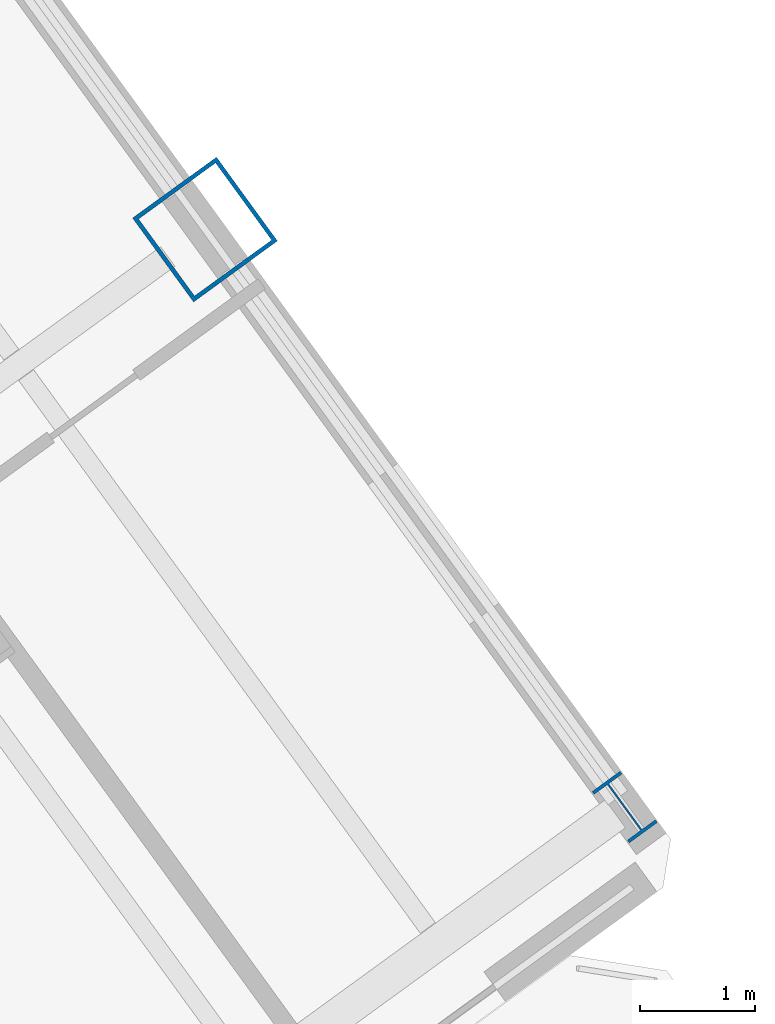
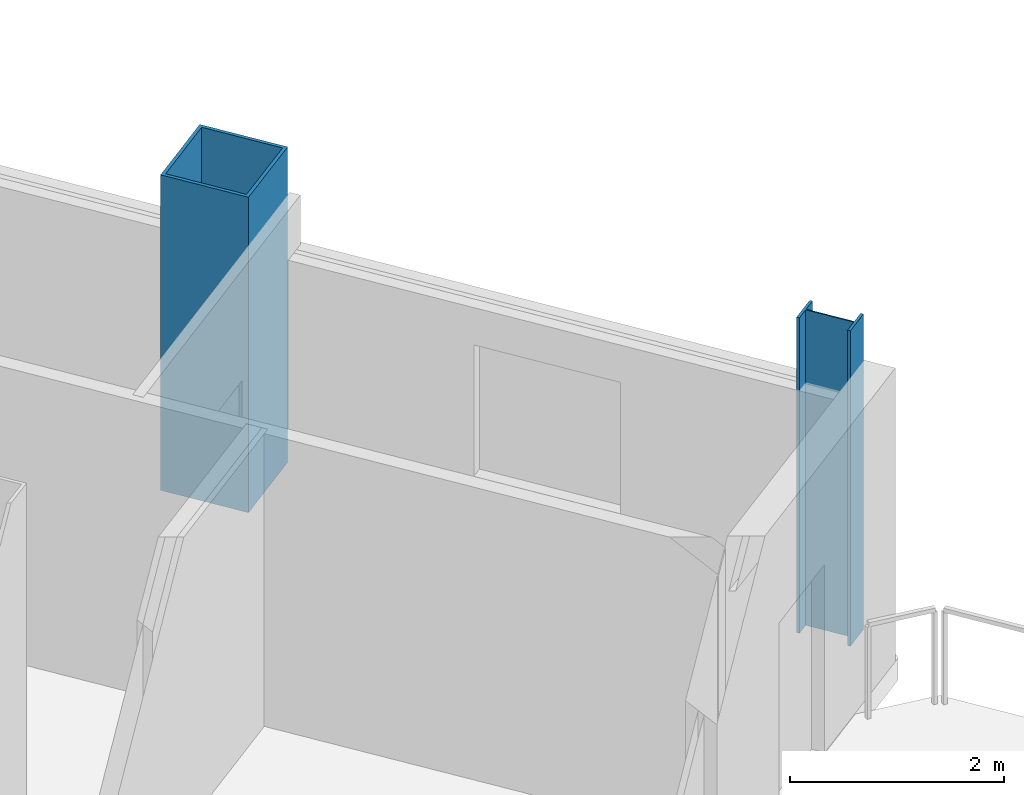
# One storey, part 4 of 29: 2 columns.
"""IFC4 building model written with IfcOpenShell, lengths in metres."""

from ifc_helpers import new_model, si_unit, direction, frame, origin, origin_2d, place, context, subcontext, project, spatial, hollow_rectangle, i_section, extrude, source, transform, mapped, material, material_profile, profile_set, type_object, element, save


model = new_model("IFC4")

# Units and contexts
model_context = context("Model", 3, precision=1e-05, world=origin(), true_north=direction((0.0, 1.0)))
body_context = subcontext(model_context, "Body", "Model", "MODEL_VIEW")
ifc_project = project(units=[si_unit("LENGTHUNIT", "METRE"), si_unit("AREAUNIT", "SQUARE_METRE"), si_unit("VOLUMEUNIT", "CUBIC_METRE"), si_unit("PLANEANGLEUNIT", "RADIAN"), si_unit("MASSUNIT", "GRAM", prefix="KILO")], contexts=[model_context])

# Site, building, storey
site_placement = place(None, origin())
site = spatial("IfcSite", under=ifc_project, at=site_placement, CompositionType="ELEMENT")
building_placement = place(site_placement, origin())
building = spatial("IfcBuilding", under=site, at=building_placement, Name="Tlacorven Tower", CompositionType="ELEMENT")
storey_placement = place(building_placement, frame((0.0, 0.0, 151.5)))
storey = spatial("IfcBuildingStorey", under=building, at=storey_placement, Name="L38", CompositionType="ELEMENT", Elevation=151.5)

# Columns
ifc_material = material(Name="Steel S460M", Category="steel")
ifc_material_profile_1 = material_profile(ifc_material, hollow_rectangle(XDim=0.89990234375, YDim=0.89990234375, WallThickness=0.035888671875, at=origin_2d()), Name="BOX 900X900X36")
ifc_profile_set_1 = profile_set([ifc_material_profile_1], Name="Steel S460M")
column_type_1 = type_object("IfcColumnType", Name="COL-TWR-S2", PredefinedType="COLUMN", material=ifc_profile_set_1)
shared_shape_1 = source(origin(), body_context, "Body", "SweptSolid", [
    extrude(hollow_rectangle(XDim=0.89990234375, YDim=0.89990234375, WallThickness=0.035888671875, at=origin_2d()), origin(), (0.0, 0.0, 1.0), 3.60009765625),
])
column_1_placement = place(storey_placement, frame((67.267822265625, 23.353515625, 0.0), z_axis=(0.0, 0.0, 1.0), x_axis=(0.809016994375, 0.587785252292, 0.0)))
element("IfcColumn", 1, at=column_1_placement, inside=storey, type_object=column_type_1, Name="L38 column COL-L38-E4-2", PredefinedType="COLUMN", context=body_context, shape_type="MappedRepresentation", body=[
    mapped(shared_shape_1, transform((0.0, 0.0, 0.0), scale=1.0)),
])
ifc_material_profile_2 = material_profile(ifc_material, i_section(OverallWidth=0.300048828125, OverallDepth=0.550048828125, WebThickness=0.014892578125, FlangeThickness=0.029052734375, at=origin_2d()), Name="HEB 550")
ifc_profile_set_2 = profile_set([ifc_material_profile_2], Name="Steel S460M")
column_type_2 = type_object("IfcColumnType", Name="COL-TWR-P2", PredefinedType="COLUMN", material=ifc_profile_set_2)
shared_shape_2 = source(origin(), body_context, "Body", "SweptSolid", [
    extrude(i_section(OverallWidth=0.300048828125, OverallDepth=0.550048828125, WebThickness=0.014892578125, FlangeThickness=0.029052734375, at=origin_2d()), origin(), (0.0, 0.0, 1.0), 3.60009765625),
])
column_2_placement = place(storey_placement, frame((70.911865234375, 18.337646484375, 0.0), z_axis=(0.0, 0.0, 1.0), x_axis=(0.809016994375, 0.587785252292, 0.0)))
element("IfcColumn", 2, at=column_2_placement, inside=storey, type_object=column_type_2, Name="L38 column COL-L38-E4-1", PredefinedType="COLUMN", context=body_context, shape_type="MappedRepresentation", body=[
    mapped(shared_shape_2, transform((0.0, 0.0, 0.0), scale=1.0)),
])

save(model, "model.ifc")
